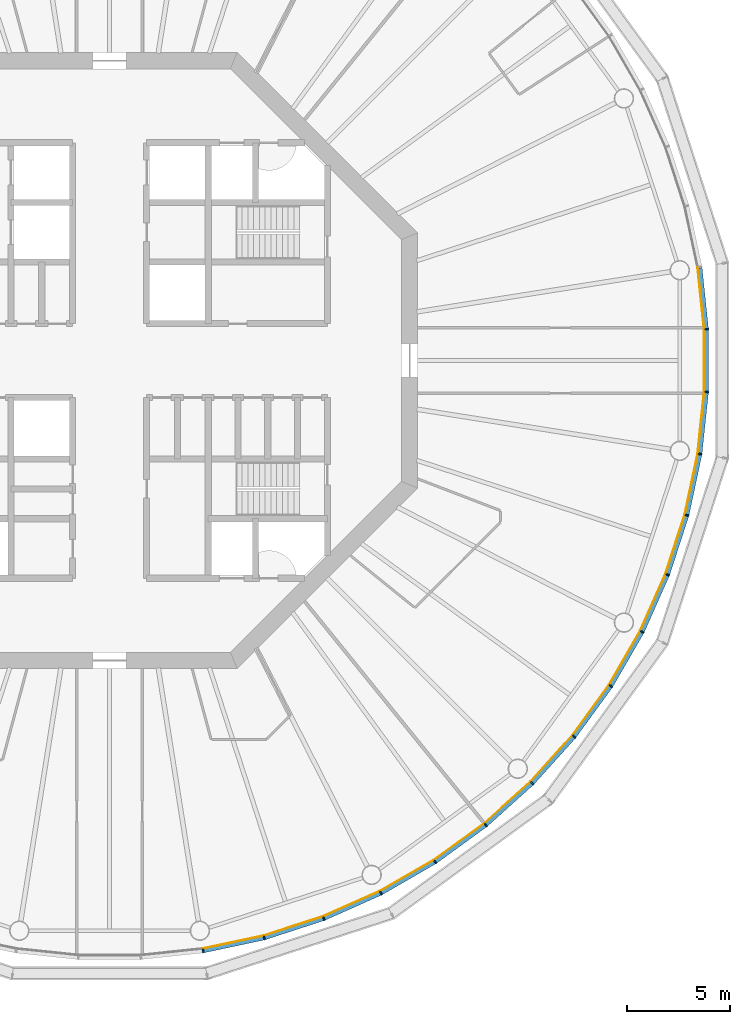
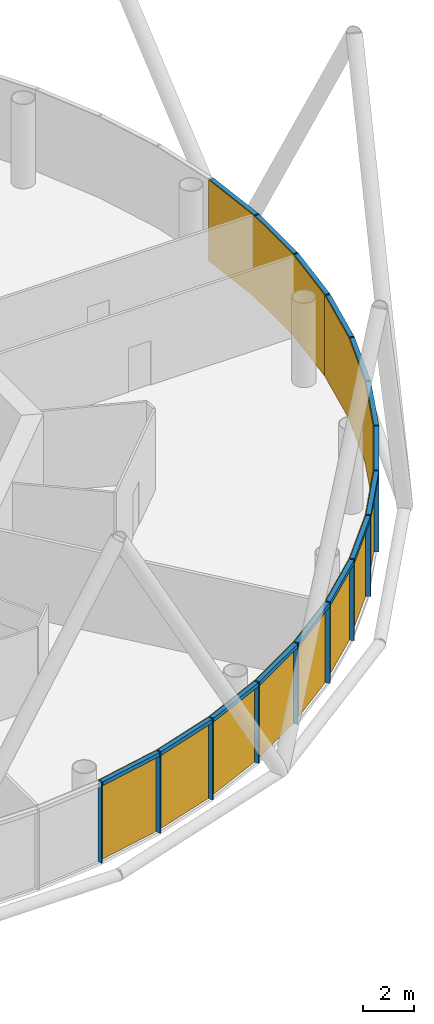
# One storey, part 9 of 13: 30 members, 5 curtain walls.
"""IFC4 building model written with IfcOpenShell, lengths in metres."""

from ifc_helpers import new_model, si_unit, direction, frame, origin, origin_2d, place, context, subcontext, project, spatial, polyline, rectangle, outline, extrude, material, layer, layer_set, material_profile, profile_set, type_object, element, aggregate, save


model = new_model("IFC4")

# Units and contexts
model_context = context("Model", 3, precision=1e-05, world=origin(), true_north=direction((0.0, 1.0)))
body_context = subcontext(model_context, "Body", "Model", "MODEL_VIEW")
ifc_project = project(units=[si_unit("LENGTHUNIT", "METRE"), si_unit("AREAUNIT", "SQUARE_METRE"), si_unit("VOLUMEUNIT", "CUBIC_METRE"), si_unit("PLANEANGLEUNIT", "RADIAN"), si_unit("MASSUNIT", "GRAM", prefix="KILO")], contexts=[model_context])

# Member
ifc_material_1 = material(Name="Anodised aluminium", Category="aluminium")
ifc_material_profile_1 = material_profile(ifc_material_1, rectangle(XDim=0.06494140625, YDim=0.195068359375, at=origin_2d()), Name="Mullion 65 x 195 mm anodised aluminium")
ifc_profile_set_1 = profile_set([ifc_material_profile_1], Name="Anodised aluminium")
member_type_1 = type_object("IfcMemberType", Name="Mullion 65 x 195 mm anodised aluminium", PredefinedType="MULLION", material=ifc_profile_set_1)
site_placement = place(None, origin())
building_placement = place(site_placement, origin())
storey_placement = place(building_placement, frame((0.0, 0.0, 294.0)))
member_1_placement = place(storey_placement, frame((94.5517578125, 51.2607421875, 0.0), z_axis=(0.0, 0.0, 1.0), x_axis=(0.987688340595, 0.15643446504, 0.0)))
member_1 = element("IfcMember", 1, at=member_1_placement, type_object=member_type_1, Name="MULLION L67-45", PredefinedType="MULLION", context=body_context, shape_type="SweptSolid", body=[
    extrude(rectangle(XDim=0.06494140625, YDim=0.195068359375, at=origin_2d()), origin(), (0.0, 0.0, 1.0), 3.85009765625),
])

member_2_placement = place(storey_placement, frame((97.531005859375, 51.89404296875, 0.0), z_axis=(0.0, 0.0, 1.0), x_axis=(0.965925826289, 0.258819045103, 0.0)))
member_2 = element("IfcMember", 2, at=member_2_placement, type_object=member_type_1, Name="MULLION L67-46", PredefinedType="MULLION", context=body_context, shape_type="SweptSolid", body=[
    extrude(rectangle(XDim=0.06494140625, YDim=0.195068359375, at=origin_2d()), origin(), (0.0, 0.0, 1.0), 3.85009765625),
])

member_3_placement = place(storey_placement, frame((100.427490234375, 52.835205078125, 0.0), z_axis=(0.0, 0.0, 1.0), x_axis=(0.933580426497, 0.358367949545, 0.0)))
member_3 = element("IfcMember", 3, at=member_3_placement, type_object=member_type_1, Name="MULLION L67-47", PredefinedType="MULLION", context=body_context, shape_type="SweptSolid", body=[
    extrude(rectangle(XDim=0.06494140625, YDim=0.195068359375, at=origin_2d()), origin(), (0.0, 0.0, 1.0), 3.85009765625),
])

member_4_placement = place(storey_placement, frame((103.2099609375, 54.073974609375, 0.0), z_axis=(0.0, 0.0, 1.0), x_axis=(0.891006524188, 0.45399049974, 0.0)))
member_4 = element("IfcMember", 4, at=member_4_placement, type_object=member_type_1, Name="MULLION L67-48", PredefinedType="MULLION", context=body_context, shape_type="SweptSolid", body=[
    extrude(rectangle(XDim=0.06494140625, YDim=0.195068359375, at=origin_2d()), origin(), (0.0, 0.0, 1.0), 3.85009765625),
])

member_5_placement = place(storey_placement, frame((105.84765625, 55.5966796875, 0.0), z_axis=(0.0, 0.0, 1.0), x_axis=(0.838670567945, 0.544639035015, 0.0)))
member_5 = element("IfcMember", 5, at=member_5_placement, type_object=member_type_1, Name="MULLION L67-49", PredefinedType="MULLION", context=body_context, shape_type="SweptSolid", body=[
    extrude(rectangle(XDim=0.06494140625, YDim=0.195068359375, at=origin_2d()), origin(), (0.0, 0.0, 1.0), 3.85009765625),
])

member_6_placement = place(storey_placement, frame((108.311767578125, 57.386962890625, 0.0), z_axis=(0.0, 0.0, 1.0), x_axis=(0.777145961457, 0.62932039105, 0.0)))
member_6 = element("IfcMember", 6, at=member_6_placement, type_object=member_type_1, Name="MULLION L67-50", PredefinedType="MULLION", context=body_context, shape_type="SweptSolid", body=[
    extrude(rectangle(XDim=0.06494140625, YDim=0.195068359375, at=origin_2d()), origin(), (0.0, 0.0, 1.0), 3.85009765625),
])

member_7_placement = place(storey_placement, frame((110.574951171875, 59.425048828125, 0.0), z_axis=(0.0, 0.0, 1.0), x_axis=(0.707106781187, 0.707106781187, 0.0)))
member_7 = element("IfcMember", 7, at=member_7_placement, type_object=member_type_1, Name="MULLION L67-51", PredefinedType="MULLION", context=body_context, shape_type="SweptSolid", body=[
    extrude(rectangle(XDim=0.06494140625, YDim=0.195068359375, at=origin_2d()), origin(), (0.0, 0.0, 1.0), 3.85009765625),
])

member_8_placement = place(storey_placement, frame((112.613037109375, 61.688232421875, 0.0), z_axis=(0.0, 0.0, 1.0), x_axis=(0.62932039105, 0.777145961457, 0.0)))
member_8 = element("IfcMember", 8, at=member_8_placement, type_object=member_type_1, Name="MULLION L67-52", PredefinedType="MULLION", context=body_context, shape_type="SweptSolid", body=[
    extrude(rectangle(XDim=0.06494140625, YDim=0.195068359375, at=origin_2d()), origin(), (0.0, 0.0, 1.0), 3.85009765625),
])

member_9_placement = place(storey_placement, frame((114.4033203125, 64.15234375, 0.0), z_axis=(0.0, 0.0, 1.0), x_axis=(0.544639035015, 0.838670567945, 0.0)))
member_9 = element("IfcMember", 9, at=member_9_placement, type_object=member_type_1, Name="MULLION L67-53", PredefinedType="MULLION", context=body_context, shape_type="SweptSolid", body=[
    extrude(rectangle(XDim=0.06494140625, YDim=0.195068359375, at=origin_2d()), origin(), (0.0, 0.0, 1.0), 3.85009765625),
])

member_10_placement = place(storey_placement, frame((115.926025390625, 66.7900390625, 0.0), z_axis=(0.0, 0.0, 1.0), x_axis=(0.45399049974, 0.891006524188, 0.0)))
member_10 = element("IfcMember", 10, at=member_10_placement, type_object=member_type_1, Name="MULLION L67-54", PredefinedType="MULLION", context=body_context, shape_type="SweptSolid", body=[
    extrude(rectangle(XDim=0.06494140625, YDim=0.195068359375, at=origin_2d()), origin(), (0.0, 0.0, 1.0), 3.85009765625),
])

member_11_placement = place(storey_placement, frame((117.164794921875, 69.572509765625, 0.0), z_axis=(0.0, 0.0, 1.0), x_axis=(0.358367949545, 0.933580426497, 0.0)))
member_11 = element("IfcMember", 11, at=member_11_placement, type_object=member_type_1, Name="MULLION L67-55", PredefinedType="MULLION", context=body_context, shape_type="SweptSolid", body=[
    extrude(rectangle(XDim=0.06494140625, YDim=0.195068359375, at=origin_2d()), origin(), (0.0, 0.0, 1.0), 3.85009765625),
])

member_12_placement = place(storey_placement, frame((118.10595703125, 72.468994140625, 0.0), z_axis=(0.0, 0.0, 1.0), x_axis=(0.258819045103, 0.965925826289, 0.0)))
member_12 = element("IfcMember", 12, at=member_12_placement, type_object=member_type_1, Name="MULLION L67-56", PredefinedType="MULLION", context=body_context, shape_type="SweptSolid", body=[
    extrude(rectangle(XDim=0.06494140625, YDim=0.195068359375, at=origin_2d()), origin(), (0.0, 0.0, 1.0), 3.85009765625),
])

member_13_placement = place(storey_placement, frame((118.7392578125, 75.4482421875, 0.0), z_axis=(0.0, 0.0, 1.0), x_axis=(0.15643446504, 0.987688340595, 0.0)))
member_13 = element("IfcMember", 13, at=member_13_placement, type_object=member_type_1, Name="MULLION L67-57", PredefinedType="MULLION", context=body_context, shape_type="SweptSolid", body=[
    extrude(rectangle(XDim=0.06494140625, YDim=0.195068359375, at=origin_2d()), origin(), (0.0, 0.0, 1.0), 3.85009765625),
])

member_14_placement = place(storey_placement, frame((119.0576171875, 78.47705078125, 0.0), z_axis=(0.0, 0.0, 1.0), x_axis=(0.052335956243, 0.998629534755, 0.0)))
member_14 = element("IfcMember", 14, at=member_14_placement, type_object=member_type_1, Name="MULLION L67-58", PredefinedType="MULLION", context=body_context, shape_type="SweptSolid", body=[
    extrude(rectangle(XDim=0.06494140625, YDim=0.195068359375, at=origin_2d()), origin(), (0.0, 0.0, 1.0), 3.85009765625),
])

member_15_placement = place(storey_placement, frame((119.0576171875, 81.52294921875, 0.0), z_axis=(0.0, 0.0, 1.0), x_axis=(-0.052335956243, 0.998629534755, 0.0)))
member_15 = element("IfcMember", 15, at=member_15_placement, type_object=member_type_1, Name="MULLION L67-59", PredefinedType="MULLION", context=body_context, shape_type="SweptSolid", body=[
    extrude(rectangle(XDim=0.06494140625, YDim=0.195068359375, at=origin_2d()), origin(), (0.0, 0.0, 1.0), 3.85009765625),
])

ifc_material_2 = material(Name="Anodised aluminium", Category="aluminium")
ifc_material_profile_2 = material_profile(ifc_material_2, rectangle(XDim=0.195068359375, YDim=0.179931640625, at=origin_2d()), Name="Transom 180 x 195 mm anodised aluminium")
ifc_profile_set_2 = profile_set([ifc_material_profile_2], Name="Anodised aluminium")
member_type_2 = type_object("IfcMemberType", Name="Transom 180 x 195 mm anodised aluminium", PredefinedType="USERDEFINED", material=ifc_profile_set_2)
member_16_placement = place(storey_placement, frame((94.588623046875, 51.268310546875, 3.760009765625), z_axis=(0.978141510112, 0.207940342877, 0.0), x_axis=(-0.207940342877, 0.978141510112, 0.0)))
member_16 = element("IfcMember", 16, at=member_16_placement, type_object=member_type_2, Name="TRANSOM L67-45", ObjectType="TRANSOM", PredefinedType="USERDEFINED", context=body_context, shape_type="SweptSolid", body=[
    extrude(rectangle(XDim=0.195068359375, YDim=0.179931640625, at=origin_2d()), origin(), (0.0, 0.0, 1.0), 2.970458984375),
])

member_17_placement = place(storey_placement, frame((97.56689453125, 51.905517578125, 3.760009765625), z_axis=(0.951047960094, 0.309043326415, 0.0), x_axis=(-0.309043326415, 0.951047960094, 0.0)))
member_17 = element("IfcMember", 17, at=member_17_placement, type_object=member_type_2, Name="TRANSOM L67-46", ObjectType="TRANSOM", PredefinedType="USERDEFINED", context=body_context, shape_type="SweptSolid", body=[
    extrude(rectangle(XDim=0.195068359375, YDim=0.179931640625, at=origin_2d()), origin(), (0.0, 0.0, 1.0), 2.970458984375),
])

member_18_placement = place(storey_placement, frame((100.4619140625, 52.850341796875, 3.760009765625), z_axis=(0.913550406593, 0.406725527369, 0.0), x_axis=(-0.406725527369, 0.913550406593, 0.0)))
member_18 = element("IfcMember", 18, at=member_18_placement, type_object=member_type_2, Name="TRANSOM L67-47", ObjectType="TRANSOM", PredefinedType="USERDEFINED", context=body_context, shape_type="SweptSolid", body=[
    extrude(rectangle(XDim=0.195068359375, YDim=0.179931640625, at=origin_2d()), origin(), (0.0, 0.0, 1.0), 2.970703125),
])

member_19_placement = place(storey_placement, frame((103.24267578125, 54.092529296875, 3.760009765625), z_axis=(0.866009025146, 0.500028367561, 0.0), x_axis=(-0.500028367561, 0.866009025146, 0.0)))
member_19 = element("IfcMember", 19, at=member_19_placement, type_object=member_type_2, Name="TRANSOM L67-48", ObjectType="TRANSOM", PredefinedType="USERDEFINED", context=body_context, shape_type="SweptSolid", body=[
    extrude(rectangle(XDim=0.195068359375, YDim=0.179931640625, at=origin_2d()), origin(), (0.0, 0.0, 1.0), 2.970458984375),
])

member_20_placement = place(storey_placement, frame((105.878173828125, 55.618896484375, 3.760009765625), z_axis=(0.809030990733, 0.587765987476, 0.0), x_axis=(-0.587765987476, 0.809030990733, 0.0)))
member_20 = element("IfcMember", 20, at=member_20_placement, type_object=member_type_2, Name="TRANSOM L67-49", ObjectType="TRANSOM", PredefinedType="USERDEFINED", context=body_context, shape_type="SweptSolid", body=[
    extrude(rectangle(XDim=0.195068359375, YDim=0.179931640625, at=origin_2d()), origin(), (0.0, 0.0, 1.0), 2.97021484375),
])

member_21_placement = place(storey_placement, frame((108.339599609375, 57.412109375, 3.760009765625), z_axis=(0.743163354343, 0.669110027395, 0.0), x_axis=(-0.669110027395, 0.743163354343, 0.0)))
member_21 = element("IfcMember", 21, at=member_21_placement, type_object=member_type_2, Name="TRANSOM L67-50", ObjectType="TRANSOM", PredefinedType="USERDEFINED", context=body_context, shape_type="SweptSolid", body=[
    extrude(rectangle(XDim=0.195068359375, YDim=0.179931640625, at=origin_2d()), origin(), (0.0, 0.0, 1.0), 2.970458984375),
])

member_22_placement = place(storey_placement, frame((110.600341796875, 59.452880859375, 3.760009765625), z_axis=(0.669110027395, 0.743163354343, 0.0), x_axis=(-0.743163354343, 0.669110027395, 0.0)))
member_22 = element("IfcMember", 22, at=member_22_placement, type_object=member_type_2, Name="TRANSOM L67-51", ObjectType="TRANSOM", PredefinedType="USERDEFINED", context=body_context, shape_type="SweptSolid", body=[
    extrude(rectangle(XDim=0.195068359375, YDim=0.179931640625, at=origin_2d()), origin(), (0.0, 0.0, 1.0), 2.970458984375),
])

member_23_placement = place(storey_placement, frame((112.63525390625, 61.71875, 3.760009765625), z_axis=(0.587765987476, 0.809030990733, 0.0), x_axis=(-0.809030990733, 0.587765987476, 0.0)))
member_23 = element("IfcMember", 23, at=member_23_placement, type_object=member_type_2, Name="TRANSOM L67-52", ObjectType="TRANSOM", PredefinedType="USERDEFINED", context=body_context, shape_type="SweptSolid", body=[
    extrude(rectangle(XDim=0.195068359375, YDim=0.179931640625, at=origin_2d()), origin(), (0.0, 0.0, 1.0), 2.97021484375),
])

member_24_placement = place(storey_placement, frame((114.422119140625, 64.184814453125, 3.760009765625), z_axis=(0.500028367561, 0.866009025146, 0.0), x_axis=(-0.866009025146, 0.500028367561, 0.0)))
member_24 = element("IfcMember", 24, at=member_24_placement, type_object=member_type_2, Name="TRANSOM L67-53", ObjectType="TRANSOM", PredefinedType="USERDEFINED", context=body_context, shape_type="SweptSolid", body=[
    extrude(rectangle(XDim=0.195068359375, YDim=0.179931640625, at=origin_2d()), origin(), (0.0, 0.0, 1.0), 2.970458984375),
])

member_25_placement = place(storey_placement, frame((115.94140625, 66.82421875, 3.760009765625), z_axis=(0.406725527369, 0.913550406593, 0.0), x_axis=(-0.913550406593, 0.406725527369, 0.0)))
member_25 = element("IfcMember", 25, at=member_25_placement, type_object=member_type_2, Name="TRANSOM L67-54", ObjectType="TRANSOM", PredefinedType="USERDEFINED", context=body_context, shape_type="SweptSolid", body=[
    extrude(rectangle(XDim=0.195068359375, YDim=0.179931640625, at=origin_2d()), origin(), (0.0, 0.0, 1.0), 2.970703125),
])

member_26_placement = place(storey_placement, frame((117.176513671875, 69.608154296875, 3.760009765625), z_axis=(0.309043326415, 0.951047960094, 0.0), x_axis=(-0.951047960094, 0.309043326415, 0.0)))
member_26 = element("IfcMember", 26, at=member_26_placement, type_object=member_type_2, Name="TRANSOM L67-55", ObjectType="TRANSOM", PredefinedType="USERDEFINED", context=body_context, shape_type="SweptSolid", body=[
    extrude(rectangle(XDim=0.195068359375, YDim=0.179931640625, at=origin_2d()), origin(), (0.0, 0.0, 1.0), 2.970458984375),
])

member_27_placement = place(storey_placement, frame((118.114013671875, 72.505859375, 3.760009765625), z_axis=(0.207940342877, 0.978141510112, 0.0), x_axis=(-0.978141510112, 0.207940342877, 0.0)))
member_27 = element("IfcMember", 27, at=member_27_placement, type_object=member_type_2, Name="TRANSOM L67-56", ObjectType="TRANSOM", PredefinedType="USERDEFINED", context=body_context, shape_type="SweptSolid", body=[
    extrude(rectangle(XDim=0.195068359375, YDim=0.179931640625, at=origin_2d()), origin(), (0.0, 0.0, 1.0), 2.970458984375),
])

member_28_placement = place(storey_placement, frame((118.743408203125, 75.485595703125, 3.760009765625), z_axis=(0.104466577987, 0.994528397827, 0.0), x_axis=(-0.994528397827, 0.104466577987, 0.0)))
member_28 = element("IfcMember", 28, at=member_28_placement, type_object=member_type_2, Name="TRANSOM L67-57", ObjectType="TRANSOM", PredefinedType="USERDEFINED", context=body_context, shape_type="SweptSolid", body=[
    extrude(rectangle(XDim=0.195068359375, YDim=0.179931640625, at=origin_2d()), origin(), (0.0, 0.0, 1.0), 2.970458984375),
])

member_29_placement = place(storey_placement, frame((119.057861328125, 78.5146484375, 3.760009765625), z_axis=(0.0, 1.0, 0.0), x_axis=(-1.0, 0.0, 0.0)))
member_29 = element("IfcMember", 29, at=member_29_placement, type_object=member_type_2, Name="TRANSOM L67-58", ObjectType="TRANSOM", PredefinedType="USERDEFINED", context=body_context, shape_type="SweptSolid", body=[
    extrude(rectangle(XDim=0.195068359375, YDim=0.179931640625, at=origin_2d()), origin(), (0.0, 0.0, 1.0), 2.970703125),
])

member_30_placement = place(storey_placement, frame((119.0537109375, 81.560302734375, 3.760009765625), z_axis=(-0.104466577987, 0.994528397827, 0.0), x_axis=(-0.994528397827, -0.104466577987, 0.0)))
member_30 = element("IfcMember", 30, at=member_30_placement, type_object=member_type_2, Name="TRANSOM L67-59", ObjectType="TRANSOM", PredefinedType="USERDEFINED", context=body_context, shape_type="SweptSolid", body=[
    extrude(rectangle(XDim=0.195068359375, YDim=0.179931640625, at=origin_2d()), origin(), (0.0, 0.0, 1.0), 2.970458984375),
])

# Site, building, storey
site = spatial("IfcSite", under=ifc_project, at=site_placement, CompositionType="ELEMENT")
building = spatial("IfcBuilding", under=site, at=building_placement, Name="Entoto Ring Tower", CompositionType="ELEMENT")
storey = spatial("IfcBuildingStorey", under=building, at=storey_placement, Name="L67", CompositionType="ELEMENT", Elevation=294.0)

# Curtain wall
ifc_material_3 = material(Name="Clear low-iron glass", Category="glass")
ifc_layer = layer(ifc_material_3, 0.033935546875)
ifc_layer_set = layer_set([ifc_layer], Name="Clear low-iron glass")
curtain_wall_type = type_object("IfcCurtainWallType", Name="Curtain wall system CW5 glazing 34 mm", PredefinedType="NOTDEFINED", material=ifc_layer_set)
curtain_wall_1_placement = place(storey_placement, origin())
curtain_wall_1 = element("IfcCurtainWall", 31, at=curtain_wall_1_placement, inside=storey, type_object=curtain_wall_type, Name="CW5 L67-16", PredefinedType="NOTDEFINED", context=body_context, shape_type="SweptSolid", body=[
    extrude(outline(polyline([(94.53662109375, 51.35693359375), (97.505859375, 51.988037109375), (100.392578125, 52.92626953125), (103.165771484375, 54.160888671875), (103.150146484375, 54.191162109375), (100.38037109375, 52.9580078125), (97.496826171875, 52.02099609375), (94.53125, 51.390625), (94.53662109375, 51.35693359375)])), origin(), (0.0, 0.0, 1.0), 3.85009765625),
])

aggregate(curtain_wall_1, [member_1, member_2, member_3, member_16, member_17, member_18])

curtain_wall_2_placement = place(storey_placement, origin())
curtain_wall_2 = element("IfcCurtainWall", 32, at=curtain_wall_2_placement, inside=storey, type_object=curtain_wall_type, Name="CW5 L67-17", PredefinedType="NOTDEFINED", context=body_context, shape_type="SweptSolid", body=[
    extrude(outline(polyline([(103.165771484375, 54.160888671875), (105.79443359375, 55.678466796875), (108.250244140625, 57.462646484375), (110.506103515625, 59.493896484375), (110.48193359375, 59.51806640625), (108.228759765625, 57.4892578125), (105.77587890625, 55.70703125), (103.150146484375, 54.191162109375), (103.165771484375, 54.160888671875)])), origin(), (0.0, 0.0, 1.0), 3.85009765625),
])

aggregate(curtain_wall_2, [member_4, member_5, member_6, member_19, member_20, member_21])

curtain_wall_3_placement = place(storey_placement, origin())
curtain_wall_3 = element("IfcCurtainWall", 33, at=curtain_wall_3_placement, inside=storey, type_object=curtain_wall_type, Name="CW5 L67-18", PredefinedType="NOTDEFINED", context=body_context, shape_type="SweptSolid", body=[
    extrude(outline(polyline([(110.506103515625, 59.493896484375), (112.537353515625, 61.749755859375), (114.321533203125, 64.20556640625), (115.839111328125, 66.834228515625), (115.808837890625, 66.849853515625), (114.29296875, 64.22412109375), (112.5107421875, 61.771240234375), (110.48193359375, 59.51806640625), (110.506103515625, 59.493896484375)])), origin(), (0.0, 0.0, 1.0), 3.85009765625),
])

aggregate(curtain_wall_3, [member_7, member_8, member_9, member_22, member_23, member_24])

curtain_wall_4_placement = place(storey_placement, origin())
curtain_wall_4 = element("IfcCurtainWall", 34, at=curtain_wall_4_placement, inside=storey, type_object=curtain_wall_type, Name="CW5 L67-19", PredefinedType="NOTDEFINED", context=body_context, shape_type="SweptSolid", body=[
    extrude(outline(polyline([(115.839111328125, 66.834228515625), (117.07373046875, 69.607421875), (118.011962890625, 72.494140625), (118.64306640625, 75.46337890625), (118.609375, 75.46875), (117.97900390625, 72.503173828125), (117.0419921875, 69.61962890625), (115.808837890625, 66.849853515625), (115.839111328125, 66.834228515625)])), origin(), (0.0, 0.0, 1.0), 3.85009765625),
])

aggregate(curtain_wall_4, [member_10, member_11, member_12, member_25, member_26, member_27])

curtain_wall_5_placement = place(storey_placement, origin())
curtain_wall_5 = element("IfcCurtainWall", 35, at=curtain_wall_5_placement, inside=storey, type_object=curtain_wall_type, Name="CW5 L67-20", PredefinedType="NOTDEFINED", context=body_context, shape_type="SweptSolid", body=[
    extrude(outline(polyline([(118.64306640625, 75.46337890625), (118.960205078125, 78.482177734375), (118.960205078125, 81.517822265625), (118.64306640625, 84.53662109375), (118.609375, 84.53125), (118.92626953125, 81.515869140625), (118.92626953125, 78.484130859375), (118.609375, 75.46875), (118.64306640625, 75.46337890625)])), origin(), (0.0, 0.0, 1.0), 3.85009765625),
])

aggregate(curtain_wall_5, [member_13, member_14, member_15, member_28, member_29, member_30])

save(model, "model.ifc")
